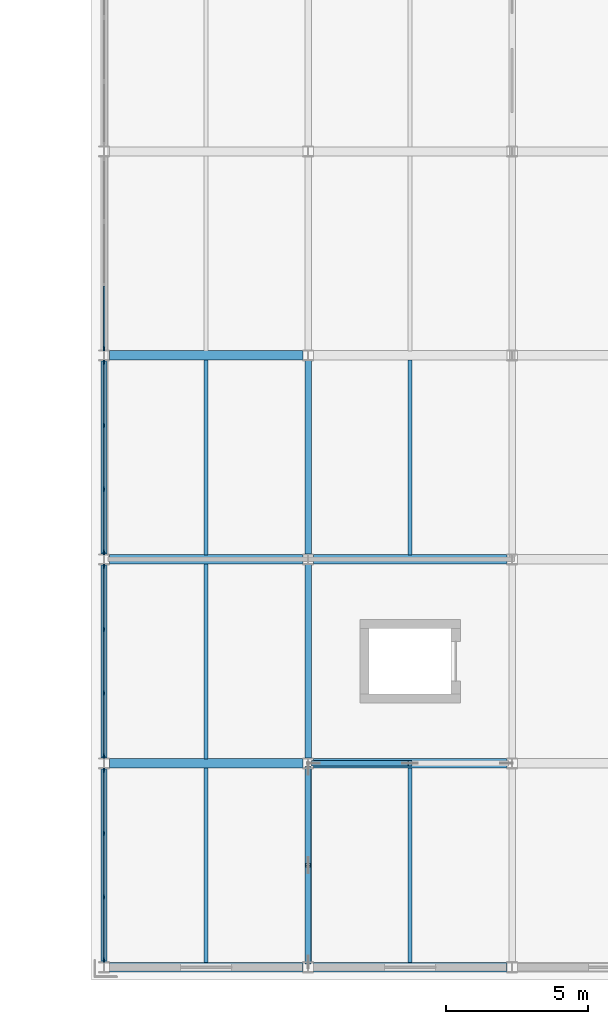
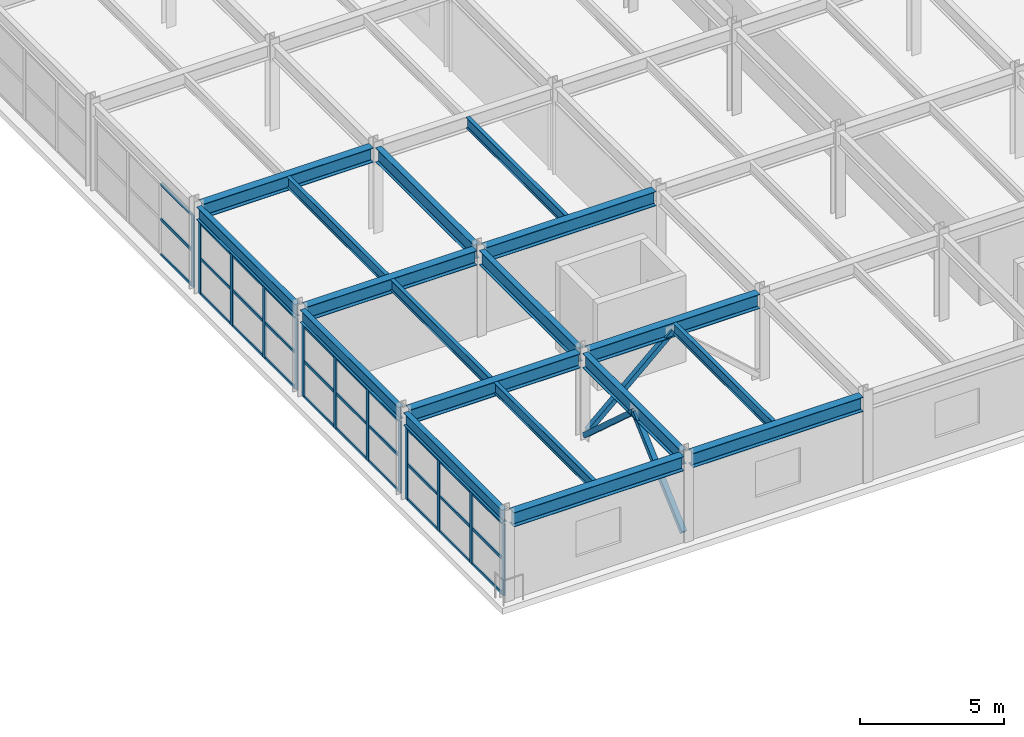
# One storey, part 31 of 93: 46 members, 18 beams, 4 elements without a shape of their own.
"""IFC4 building model written with IfcOpenShell, lengths in metres."""

from ifc_helpers import new_model, si_unit, direction, frame, origin, origin_2d, place, context, subcontext, project, spatial, rectangle, hollow_rectangle, i_section, extrude, material, material_profile, profile_set, type_object, element, aggregate, save


model = new_model("IFC4")

# Units and contexts
model_context = context("Model", 3, precision=1e-05, world=origin(), true_north=direction((0.0, 1.0)))
body_context = subcontext(model_context, "Body", "Model", "MODEL_VIEW")
ifc_project = project(units=[si_unit("LENGTHUNIT", "METRE"), si_unit("AREAUNIT", "SQUARE_METRE"), si_unit("VOLUMEUNIT", "CUBIC_METRE"), si_unit("PLANEANGLEUNIT", "RADIAN"), si_unit("MASSUNIT", "GRAM", prefix="KILO")], contexts=[model_context])

# Site, building, storey
site_placement = place(None, origin())
site = spatial("IfcSite", under=ifc_project, at=site_placement, CompositionType="ELEMENT")
building_placement = place(site_placement, origin())
building = spatial("IfcBuilding", under=site, at=building_placement, Name="Vaelcorin Mobility Hub", CompositionType="ELEMENT")
storey_placement = place(building_placement, frame((0.0, 0.0, 5.39990234375)))
storey = spatial("IfcBuildingStorey", under=building, at=storey_placement, Name="L01", CompositionType="ELEMENT", Elevation=5.39990234375)

# Beams
ifc_material_1 = material(Name="Steel ASTM A992 Grade 50", Category="steel")
ifc_material_profile_1 = material_profile(ifc_material_1, i_section(OverallWidth=0.152099609375, OverallDepth=0.455078125, WebThickness=0.008056640625, FlangeThickness=0.01318359375, FilletRadius=0.012939453125, at=origin_2d()), Name="W18X40")
ifc_profile_set_1 = profile_set([ifc_material_profile_1], Name="Steel ASTM A992 Grade 50")
beam_type_1 = type_object("IfcBeamType", Name="BM-W18X40", PredefinedType="JOIST", material=ifc_profile_set_1)
beam_1_placement = place(storey_placement, frame((157.199951171875, 6.159912109375, 3.443115234375), z_axis=(0.0, 1.0, 0.0), x_axis=(-1.0, 0.0, 0.0)))
element("IfcBeam", 1, at=beam_1_placement, inside=storey, type_object=beam_type_1, Name="L01 Beam V5-L01-J-01-01-1", PredefinedType="JOIST", context=body_context, shape_type="SweptSolid", body=[
    extrude(i_section(OverallWidth=0.152099609375, OverallDepth=0.455078125, WebThickness=0.008056640625, FlangeThickness=0.01318359375, FilletRadius=0.012939453125, at=origin_2d()), origin(), (0.0, 0.0, 1.0), 6.879150390625),
])
for number, where, z_axis, x_axis, name in (
    (2, (157.199951171875, 13.360107421875, 3.443115234375), (0.0, 1.0, 0.0), (-1.0, 0.0, 0.0), "L01 Beam V5-L01-J-01-02-1"),
    (3, (157.199951171875, 20.56005859375, 3.443115234375), (0.0, 1.0, 0.0), (-1.0, 0.0, 0.0), "L01 Beam V5-L01-J-01-03-1"),
):
    element("IfcBeam", number, at=place(storey_placement, frame(where, z_axis=z_axis, x_axis=x_axis)), inside=storey, type_object=beam_type_1, Name=name, PredefinedType="JOIST", context=body_context, shape_type="SweptSolid", body=[
        extrude(i_section(OverallWidth=0.152099609375, OverallDepth=0.455078125, WebThickness=0.008056640625, FlangeThickness=0.01318359375, FilletRadius=0.012939453125, at=origin_2d()), origin(), (0.0, 0.0, 1.0), 6.8798828125),
    ])
beam_2_placement = place(storey_placement, frame((164.39990234375, 6.159912109375, 3.443115234375), z_axis=(0.0, 1.0, 0.0), x_axis=(-1.0, 0.0, 0.0)))
element("IfcBeam", 4, at=beam_2_placement, inside=storey, type_object=beam_type_1, Name="L01 Beam V5-L01-J-02-01-1", PredefinedType="JOIST", context=body_context, shape_type="SweptSolid", body=[
    extrude(i_section(OverallWidth=0.152099609375, OverallDepth=0.455078125, WebThickness=0.008056640625, FlangeThickness=0.01318359375, FilletRadius=0.012939453125, at=origin_2d()), origin(), (0.0, 0.0, 1.0), 6.879150390625),
])
beam_3_placement = place(storey_placement, frame((164.39990234375, 20.56005859375, 3.443115234375), z_axis=(0.0, 1.0, 0.0), x_axis=(-1.0, 0.0, 0.0)))
element("IfcBeam", 5, at=beam_3_placement, inside=storey, type_object=beam_type_1, Name="L01 Beam V5-L01-J-02-03-1", PredefinedType="JOIST", context=body_context, shape_type="SweptSolid", body=[
    extrude(i_section(OverallWidth=0.152099609375, OverallDepth=0.455078125, WebThickness=0.008056640625, FlangeThickness=0.01318359375, FilletRadius=0.012939453125, at=origin_2d()), origin(), (0.0, 0.0, 1.0), 6.8798828125),
])
ifc_material_profile_2 = material_profile(ifc_material_1, i_section(OverallWidth=0.2099609375, OverallDepth=0.535888671875, WebThickness=0.010986328125, FlangeThickness=0.017333984375, FilletRadius=0.013916015625, at=origin_2d()), Name="W21X68")
ifc_profile_set_2 = profile_set([ifc_material_profile_2], Name="Steel ASTM A992 Grade 50")
beam_type_2 = type_object("IfcBeamType", Name="BM-W21X68", PredefinedType="SPANDREL", material=ifc_profile_set_2)
for number, where, z_axis, x_axis, name in (
    (6, (153.60009765625, 6.18408203125, 3.402099609375), (0.0, 1.0, 0.0), (-1.0, 0.0, 0.0), "L01 Beam V5-L01-GY-01-01"),
    (7, (153.60009765625, 13.384033203125, 3.402099609375), (0.0, 1.0, 0.0), (-1.0, 0.0, 0.0), "L01 Beam V5-L01-GY-01-02"),
    (8, (153.60009765625, 20.583984375, 3.402099609375), (0.0, 1.0, 0.0), (-1.0, 0.0, 0.0), "L01 Beam V5-L01-GY-01-03"),
):
    element("IfcBeam", number, at=place(storey_placement, frame(where, z_axis=z_axis, x_axis=x_axis)), inside=storey, type_object=beam_type_2, Name=name, PredefinedType="SPANDREL", context=body_context, shape_type="SweptSolid", body=[
        extrude(i_section(OverallWidth=0.2099609375, OverallDepth=0.535888671875, WebThickness=0.010986328125, FlangeThickness=0.017333984375, FilletRadius=0.013916015625, at=origin_2d()), origin(), (0.0, 0.0, 1.0), 6.83203125),
    ])
ifc_material_profile_3 = material_profile(ifc_material_1, i_section(OverallWidth=0.324951171875, OverallDepth=0.612060546875, WebThickness=0.0126953125, FlangeThickness=0.01904296875, FilletRadius=0.014892578125, at=origin_2d()), Name="W24X104")
ifc_profile_set_3 = profile_set([ifc_material_profile_3], Name="Steel ASTM A992 Grade 50")
beam_type_3 = type_object("IfcBeamType", Name="BM-W24X104", PredefinedType="BEAM", material=ifc_profile_set_3)
beam_4_placement = place(storey_placement, frame((153.783935546875, 6.0, 3.364013671875), z_axis=(1.0, 0.0, 0.0), x_axis=(0.0, 1.0, 0.0)))
element("IfcBeam", 9, at=beam_4_placement, inside=storey, type_object=beam_type_3, Name="L01 Beam V5-L01-GX-01-01", PredefinedType="BEAM", context=body_context, shape_type="SweptSolid", body=[
    extrude(i_section(OverallWidth=0.324951171875, OverallDepth=0.612060546875, WebThickness=0.0126953125, FlangeThickness=0.01904296875, FilletRadius=0.014892578125, at=origin_2d()), origin(), (0.0, 0.0, 1.0), 6.8310546875),
])
beam_5_placement = place(storey_placement, frame((160.98388671875, 6.0, 3.364013671875), z_axis=(1.0, 0.0, 0.0), x_axis=(0.0, 1.0, 0.0)))
element("IfcBeam", 10, at=beam_5_placement, inside=storey, type_object=beam_type_3, Name="L01 Beam V5-L01-GX-01-02", PredefinedType="BEAM", context=body_context, shape_type="SweptSolid", body=[
    extrude(i_section(OverallWidth=0.324951171875, OverallDepth=0.612060546875, WebThickness=0.0126953125, FlangeThickness=0.01904296875, FilletRadius=0.014892578125, at=origin_2d()), origin(), (0.0, 0.0, 1.0), 6.83203125),
])
beam_6_placement = place(storey_placement, frame((153.783935546875, 13.199951171875, 3.364013671875), z_axis=(1.0, 0.0, 0.0), x_axis=(0.0, 1.0, 0.0)))
element("IfcBeam", 11, at=beam_6_placement, inside=storey, type_object=beam_type_3, Name="L01 Beam V5-L01-GX-02-01", PredefinedType="BEAM", context=body_context, shape_type="SweptSolid", body=[
    extrude(i_section(OverallWidth=0.324951171875, OverallDepth=0.612060546875, WebThickness=0.0126953125, FlangeThickness=0.01904296875, FilletRadius=0.014892578125, at=origin_2d()), origin(), (0.0, 0.0, 1.0), 6.8310546875),
])
beam_7_placement = place(storey_placement, frame((160.98388671875, 13.199951171875, 3.364013671875), z_axis=(1.0, 0.0, 0.0), x_axis=(0.0, 1.0, 0.0)))
element("IfcBeam", 12, at=beam_7_placement, inside=storey, type_object=beam_type_3, Name="L01 Beam V5-L01-GX-02-02", PredefinedType="BEAM", context=body_context, shape_type="SweptSolid", body=[
    extrude(i_section(OverallWidth=0.324951171875, OverallDepth=0.612060546875, WebThickness=0.0126953125, FlangeThickness=0.01904296875, FilletRadius=0.014892578125, at=origin_2d()), origin(), (0.0, 0.0, 1.0), 6.83203125),
])
beam_8_placement = place(storey_placement, frame((153.783935546875, 20.39990234375, 3.364013671875), z_axis=(1.0, 0.0, 0.0), x_axis=(0.0, 1.0, 0.0)))
element("IfcBeam", 13, at=beam_8_placement, inside=storey, type_object=beam_type_3, Name="L01 Beam V5-L01-GX-03-01", PredefinedType="BEAM", context=body_context, shape_type="SweptSolid", body=[
    extrude(i_section(OverallWidth=0.324951171875, OverallDepth=0.612060546875, WebThickness=0.0126953125, FlangeThickness=0.01904296875, FilletRadius=0.014892578125, at=origin_2d()), origin(), (0.0, 0.0, 1.0), 6.8310546875),
])
beam_9_placement = place(storey_placement, frame((160.98388671875, 20.39990234375, 3.364013671875), z_axis=(1.0, 0.0, 0.0), x_axis=(0.0, 1.0, 0.0)))
element("IfcBeam", 14, at=beam_9_placement, inside=storey, type_object=beam_type_3, Name="L01 Beam V5-L01-GX-03-02", PredefinedType="BEAM", context=body_context, shape_type="SweptSolid", body=[
    extrude(i_section(OverallWidth=0.324951171875, OverallDepth=0.612060546875, WebThickness=0.0126953125, FlangeThickness=0.01904296875, FilletRadius=0.014892578125, at=origin_2d()), origin(), (0.0, 0.0, 1.0), 6.83203125),
])
beam_10_placement = place(storey_placement, frame((153.783935546875, 27.60009765625, 3.364013671875), z_axis=(1.0, 0.0, 0.0), x_axis=(0.0, 1.0, 0.0)))
element("IfcBeam", 15, at=beam_10_placement, inside=storey, type_object=beam_type_3, Name="L01 Beam V5-L01-GX-04-01", PredefinedType="BEAM", context=body_context, shape_type="SweptSolid", body=[
    extrude(i_section(OverallWidth=0.324951171875, OverallDepth=0.612060546875, WebThickness=0.0126953125, FlangeThickness=0.01904296875, FilletRadius=0.014892578125, at=origin_2d()), origin(), (0.0, 0.0, 1.0), 6.8310546875),
])
ifc_material_profile_4 = material_profile(ifc_material_1, i_section(OverallWidth=0.22900390625, OverallDepth=0.612060546875, WebThickness=0.011962890625, FlangeThickness=0.01953125, FilletRadius=0.014892578125, at=origin_2d()), Name="W24X84")
ifc_profile_set_4 = profile_set([ifc_material_profile_4], Name="Steel ASTM A992 Grade 50")
beam_type_4 = type_object("IfcBeamType", Name="BM-W24X84", PredefinedType="BEAM", material=ifc_profile_set_4)
for number, where, z_axis, x_axis, name in (
    (16, (160.800048828125, 6.18408203125, 3.364013671875), (0.0, 1.0, 0.0), (-1.0, 0.0, 0.0), "L01 Beam V5-L01-GY-02-01"),
    (17, (160.800048828125, 13.384033203125, 3.364013671875), (0.0, 1.0, 0.0), (-1.0, 0.0, 0.0), "L01 Beam V5-L01-GY-02-02"),
    (18, (160.800048828125, 20.583984375, 3.364013671875), (0.0, 1.0, 0.0), (-1.0, 0.0, 0.0), "L01 Beam V5-L01-GY-02-03"),
):
    element("IfcBeam", number, at=place(storey_placement, frame(where, z_axis=z_axis, x_axis=x_axis)), inside=storey, type_object=beam_type_4, Name=name, PredefinedType="BEAM", context=body_context, shape_type="SweptSolid", body=[
        extrude(i_section(OverallWidth=0.22900390625, OverallDepth=0.612060546875, WebThickness=0.011962890625, FlangeThickness=0.01953125, FilletRadius=0.014892578125, at=origin_2d()), origin(), (0.0, 0.0, 1.0), 6.83203125),
    ])

# Members
ifc_material_2 = material(Name="Steel ASTM A500 Grade C", Category="steel")
ifc_material_profile_5 = material_profile(ifc_material_2, hollow_rectangle(XDim=0.203125, YDim=0.203125, WallThickness=0.01171875, at=origin_2d()), Name="HSS8X8X0.500")
ifc_profile_set_5 = profile_set([ifc_material_profile_5], Name="Steel ASTM A500 Grade C")
member_type_1 = type_object("IfcMemberType", Name="BR-SCBF-8X8", PredefinedType="BRACE", material=ifc_profile_set_5)
member_1_placement = place(storey_placement, frame((160.989990234375, 13.199951171875, 0.18017578125), z_axis=(0.743196242044, 0.0, 0.669073498064), x_axis=(0.0, 1.0, 0.0)))
element("IfcMember", 19, at=member_1_placement, inside=storey, type_object=member_type_1, Name="SCBF Chevron Brace V5-BX1-L01-A", PredefinedType="BRACE", context=body_context, shape_type="SweptSolid", body=[
    extrude(hollow_rectangle(XDim=0.203125, YDim=0.203125, WallThickness=0.01171875, at=origin_2d()), origin(), (0.0, 0.0, 1.0), 4.588134765625),
])
member_2_placement = place(storey_placement, frame((160.800048828125, 6.18994140625, 0.18017578125), z_axis=(0.0, 0.743220060975, 0.669047039426), x_axis=(-1.0, 0.0, 0.0)))
element("IfcMember", 20, at=member_2_placement, inside=storey, type_object=member_type_1, Name="SCBF Chevron Brace V5-BY1-L01-A", PredefinedType="BRACE", context=body_context, shape_type="SweptSolid", body=[
    extrude(hollow_rectangle(XDim=0.203125, YDim=0.203125, WallThickness=0.01171875, at=origin_2d()), origin(), (0.0, 0.0, 1.0), 4.58837890625),
])
member_3_placement = place(storey_placement, frame((160.800048828125, 13.010009765625, 0.18017578125), z_axis=(0.0, -0.743196242044, 0.669073498064), x_axis=(1.0, 0.0, 0.0)))
element("IfcMember", 21, at=member_3_placement, inside=storey, type_object=member_type_1, Name="SCBF Chevron Brace V5-BY1-L01-B", PredefinedType="BRACE", context=body_context, shape_type="SweptSolid", body=[
    extrude(hollow_rectangle(XDim=0.203125, YDim=0.203125, WallThickness=0.01171875, at=origin_2d()), origin(), (0.0, 0.0, 1.0), 4.588134765625),
])

# Curtain wall, members
ifc_material_3 = material(Name="Anodised aluminium 6063-T6", Category="aluminium")
curtain_wall_type = type_object("IfcCurtainWallType", Name="CW-MOB-A", PredefinedType="NOTDEFINED", material=ifc_material_3)
curtain_wall_1_placement = place(storey_placement, origin())
curtain_wall_1 = element("IfcCurtainWall", 22, at=curtain_wall_1_placement, inside=storey, type_object=curtain_wall_type, Name="L01 Curtain Wall CW-V5-L01-WS-01", PredefinedType="NOTDEFINED")
ifc_material_profile_6 = material_profile(ifc_material_3, rectangle(XDim=0.06005859375, YDim=0.159912109375, at=origin_2d()), Name="ALU-M60X160")
ifc_profile_set_6 = profile_set([ifc_material_profile_6], Name="Anodised aluminium 6063-T6")
member_type_2 = type_object("IfcMemberType", Name="CW-MULL-160", PredefinedType="MULLION", material=ifc_profile_set_6)
member_4_placement = place(storey_placement, frame((153.60009765625, 6.25, 0.0), z_axis=(0.0, 0.0, 1.0), x_axis=(-1.0, 0.0, 0.0)))
member_4 = element("IfcMember", 23, at=member_4_placement, type_object=member_type_2, Name="CW7 mullion 1", PredefinedType="MULLION", context=body_context, shape_type="SweptSolid", body=[
    extrude(rectangle(XDim=0.06005859375, YDim=0.159912109375, at=origin_2d()), origin(), (0.0, 0.0, 1.0), 3.043212890625),
])
member_5_placement = place(storey_placement, frame((153.60009765625, 8.473388671875, 0.0), z_axis=(0.0, 0.0, 1.0), x_axis=(-1.0, 0.0, 0.0)))
member_5 = element("IfcMember", 24, at=member_5_placement, type_object=member_type_2, Name="CW7 mullion 2", PredefinedType="MULLION", context=body_context, shape_type="SweptSolid", body=[
    extrude(rectangle(XDim=0.06005859375, YDim=0.159912109375, at=origin_2d()), origin(), (0.0, 0.0, 1.0), 3.043212890625),
])
member_6_placement = place(storey_placement, frame((153.60009765625, 10.7265625, 0.0), z_axis=(0.0, 0.0, 1.0), x_axis=(-1.0, 0.0, 0.0)))
member_6 = element("IfcMember", 25, at=member_6_placement, type_object=member_type_2, Name="CW7 mullion 3", PredefinedType="MULLION", context=body_context, shape_type="SweptSolid", body=[
    extrude(rectangle(XDim=0.06005859375, YDim=0.159912109375, at=origin_2d()), origin(), (0.0, 0.0, 1.0), 3.043212890625),
])
member_7_placement = place(storey_placement, frame((153.60009765625, 12.949951171875, 0.0), z_axis=(0.0, 0.0, 1.0), x_axis=(-1.0, 0.0, 0.0)))
member_7 = element("IfcMember", 26, at=member_7_placement, type_object=member_type_2, Name="CW7 mullion 4", PredefinedType="MULLION", context=body_context, shape_type="SweptSolid", body=[
    extrude(rectangle(XDim=0.06005859375, YDim=0.159912109375, at=origin_2d()), origin(), (0.0, 0.0, 1.0), 3.043212890625),
])

curtain_wall_2_placement = place(storey_placement, origin())
curtain_wall_2 = element("IfcCurtainWall", 27, at=curtain_wall_2_placement, inside=storey, type_object=curtain_wall_type, Name="L01 Curtain Wall CW-V5-L01-WS-02", PredefinedType="NOTDEFINED")
member_8_placement = place(storey_placement, frame((153.60009765625, 13.449951171875, 0.0), z_axis=(0.0, 0.0, 1.0), x_axis=(-1.0, 0.0, 0.0)))
member_8 = element("IfcMember", 28, at=member_8_placement, type_object=member_type_2, Name="CW7 mullion 1", PredefinedType="MULLION", context=body_context, shape_type="SweptSolid", body=[
    extrude(rectangle(XDim=0.06005859375, YDim=0.159912109375, at=origin_2d()), origin(), (0.0, 0.0, 1.0), 3.043212890625),
])
member_9_placement = place(storey_placement, frame((153.60009765625, 15.67333984375, 0.0), z_axis=(0.0, 0.0, 1.0), x_axis=(-1.0, 0.0, 0.0)))
member_9 = element("IfcMember", 29, at=member_9_placement, type_object=member_type_2, Name="CW7 mullion 2", PredefinedType="MULLION", context=body_context, shape_type="SweptSolid", body=[
    extrude(rectangle(XDim=0.06005859375, YDim=0.159912109375, at=origin_2d()), origin(), (0.0, 0.0, 1.0), 3.043212890625),
])
member_10_placement = place(storey_placement, frame((153.60009765625, 17.9267578125, 0.0), z_axis=(0.0, 0.0, 1.0), x_axis=(-1.0, 0.0, 0.0)))
member_10 = element("IfcMember", 30, at=member_10_placement, type_object=member_type_2, Name="CW7 mullion 3", PredefinedType="MULLION", context=body_context, shape_type="SweptSolid", body=[
    extrude(rectangle(XDim=0.06005859375, YDim=0.159912109375, at=origin_2d()), origin(), (0.0, 0.0, 1.0), 3.043212890625),
])
member_11_placement = place(storey_placement, frame((153.60009765625, 20.14990234375, 0.0), z_axis=(0.0, 0.0, 1.0), x_axis=(-1.0, 0.0, 0.0)))
member_11 = element("IfcMember", 31, at=member_11_placement, type_object=member_type_2, Name="CW7 mullion 4", PredefinedType="MULLION", context=body_context, shape_type="SweptSolid", body=[
    extrude(rectangle(XDim=0.06005859375, YDim=0.159912109375, at=origin_2d()), origin(), (0.0, 0.0, 1.0), 3.043212890625),
])

curtain_wall_3_placement = place(storey_placement, origin())
curtain_wall_3 = element("IfcCurtainWall", 32, at=curtain_wall_3_placement, inside=storey, type_object=curtain_wall_type, Name="L01 Curtain Wall CW-V5-L01-WS-03", PredefinedType="NOTDEFINED")
member_12_placement = place(storey_placement, frame((153.60009765625, 20.64990234375, 0.0), z_axis=(0.0, 0.0, 1.0), x_axis=(-1.0, 0.0, 0.0)))
member_12 = element("IfcMember", 33, at=member_12_placement, type_object=member_type_2, Name="CW7 mullion 1", PredefinedType="MULLION", context=body_context, shape_type="SweptSolid", body=[
    extrude(rectangle(XDim=0.06005859375, YDim=0.159912109375, at=origin_2d()), origin(), (0.0, 0.0, 1.0), 3.043212890625),
])
member_13_placement = place(storey_placement, frame((153.60009765625, 22.873291015625, 0.0), z_axis=(0.0, 0.0, 1.0), x_axis=(-1.0, 0.0, 0.0)))
member_13 = element("IfcMember", 34, at=member_13_placement, type_object=member_type_2, Name="CW7 mullion 2", PredefinedType="MULLION", context=body_context, shape_type="SweptSolid", body=[
    extrude(rectangle(XDim=0.06005859375, YDim=0.159912109375, at=origin_2d()), origin(), (0.0, 0.0, 1.0), 3.043212890625),
])
member_14_placement = place(storey_placement, frame((153.60009765625, 25.126708984375, 0.0), z_axis=(0.0, 0.0, 1.0), x_axis=(-1.0, 0.0, 0.0)))
member_14 = element("IfcMember", 35, at=member_14_placement, type_object=member_type_2, Name="CW7 mullion 3", PredefinedType="MULLION", context=body_context, shape_type="SweptSolid", body=[
    extrude(rectangle(XDim=0.06005859375, YDim=0.159912109375, at=origin_2d()), origin(), (0.0, 0.0, 1.0), 3.043212890625),
])
member_15_placement = place(storey_placement, frame((153.60009765625, 27.35009765625, 0.0), z_axis=(0.0, 0.0, 1.0), x_axis=(-1.0, 0.0, 0.0)))
member_15 = element("IfcMember", 36, at=member_15_placement, type_object=member_type_2, Name="CW7 mullion 4", PredefinedType="MULLION", context=body_context, shape_type="SweptSolid", body=[
    extrude(rectangle(XDim=0.06005859375, YDim=0.159912109375, at=origin_2d()), origin(), (0.0, 0.0, 1.0), 3.043212890625),
])

# Curtain wall, member
curtain_wall_4_placement = place(storey_placement, origin())
curtain_wall_4 = element("IfcCurtainWall", 37, at=curtain_wall_4_placement, inside=storey, type_object=curtain_wall_type, Name="L01 Curtain Wall CW-V5-L01-WS-04", PredefinedType="NOTDEFINED")
member_16_placement = place(storey_placement, frame((153.60009765625, 27.85009765625, 0.0), z_axis=(0.0, 0.0, 1.0), x_axis=(-1.0, 0.0, 0.0)))
member_16 = element("IfcMember", 38, at=member_16_placement, type_object=member_type_2, Name="CW7 mullion 1", PredefinedType="MULLION", context=body_context, shape_type="SweptSolid", body=[
    extrude(rectangle(XDim=0.06005859375, YDim=0.159912109375, at=origin_2d()), origin(), (0.0, 0.0, 1.0), 3.043212890625),
])

# Member
ifc_material_profile_7 = material_profile(ifc_material_3, rectangle(XDim=0.06005859375, YDim=0.1201171875, at=origin_2d()), Name="ALU-T60X120")
ifc_profile_set_7 = profile_set([ifc_material_profile_7], Name="Anodised aluminium 6063-T6")
member_type_3 = type_object("IfcMemberType", Name="CW-TRAN-140", PredefinedType="USERDEFINED", material=ifc_profile_set_7)
member_17_placement = place(storey_placement, frame((153.60009765625, 6.280029296875, 0.030029296875), z_axis=(0.0, 1.0, 0.0), x_axis=(-1.0, 0.0, 0.0)))
member_17 = element("IfcMember", 39, at=member_17_placement, type_object=member_type_3, Name="CW7 transom 1.1", ObjectType="TRANSOM", PredefinedType="USERDEFINED", context=body_context, shape_type="SweptSolid", body=[
    extrude(rectangle(XDim=0.06005859375, YDim=0.1201171875, at=origin_2d()), origin(), (0.0, 0.0, 1.0), 2.163330078125),
])

member_18_placement = place(storey_placement, frame((153.60009765625, 6.280029296875, 1.522216796875), z_axis=(0.0, 1.0, 0.0), x_axis=(-1.0, 0.0, 0.0)))
member_18 = element("IfcMember", 40, at=member_18_placement, type_object=member_type_3, Name="CW7 transom 1.2", ObjectType="TRANSOM", PredefinedType="USERDEFINED", context=body_context, shape_type="SweptSolid", body=[
    extrude(rectangle(XDim=0.06005859375, YDim=0.1201171875, at=origin_2d()), origin(), (0.0, 0.0, 1.0), 2.163330078125),
])

member_19_placement = place(storey_placement, frame((153.60009765625, 6.280029296875, 3.01318359375), z_axis=(0.0, 1.0, 0.0), x_axis=(-1.0, 0.0, 0.0)))
member_19 = element("IfcMember", 41, at=member_19_placement, type_object=member_type_3, Name="CW7 transom 1.3", ObjectType="TRANSOM", PredefinedType="USERDEFINED", context=body_context, shape_type="SweptSolid", body=[
    extrude(rectangle(XDim=0.06005859375, YDim=0.1201171875, at=origin_2d()), origin(), (0.0, 0.0, 1.0), 2.163330078125),
])

member_20_placement = place(storey_placement, frame((153.60009765625, 8.50341796875, 0.030029296875), z_axis=(0.0, 1.0, 0.0), x_axis=(-1.0, 0.0, 0.0)))
member_20 = element("IfcMember", 42, at=member_20_placement, type_object=member_type_3, Name="CW7 transom 2.1", ObjectType="TRANSOM", PredefinedType="USERDEFINED", context=body_context, shape_type="SweptSolid", body=[
    extrude(rectangle(XDim=0.06005859375, YDim=0.1201171875, at=origin_2d()), origin(), (0.0, 0.0, 1.0), 2.193359375),
])

member_21_placement = place(storey_placement, frame((153.60009765625, 8.50341796875, 1.522216796875), z_axis=(0.0, 1.0, 0.0), x_axis=(-1.0, 0.0, 0.0)))
member_21 = element("IfcMember", 43, at=member_21_placement, type_object=member_type_3, Name="CW7 transom 2.2", ObjectType="TRANSOM", PredefinedType="USERDEFINED", context=body_context, shape_type="SweptSolid", body=[
    extrude(rectangle(XDim=0.06005859375, YDim=0.1201171875, at=origin_2d()), origin(), (0.0, 0.0, 1.0), 2.193359375),
])

member_22_placement = place(storey_placement, frame((153.60009765625, 8.50341796875, 3.01318359375), z_axis=(0.0, 1.0, 0.0), x_axis=(-1.0, 0.0, 0.0)))
member_22 = element("IfcMember", 44, at=member_22_placement, type_object=member_type_3, Name="CW7 transom 2.3", ObjectType="TRANSOM", PredefinedType="USERDEFINED", context=body_context, shape_type="SweptSolid", body=[
    extrude(rectangle(XDim=0.06005859375, YDim=0.1201171875, at=origin_2d()), origin(), (0.0, 0.0, 1.0), 2.193359375),
])

member_23_placement = place(storey_placement, frame((153.60009765625, 10.756591796875, 0.030029296875), z_axis=(0.0, 1.0, 0.0), x_axis=(-1.0, 0.0, 0.0)))
member_23 = element("IfcMember", 45, at=member_23_placement, type_object=member_type_3, Name="CW7 transom 3.1", ObjectType="TRANSOM", PredefinedType="USERDEFINED", context=body_context, shape_type="SweptSolid", body=[
    extrude(rectangle(XDim=0.06005859375, YDim=0.1201171875, at=origin_2d()), origin(), (0.0, 0.0, 1.0), 2.163330078125),
])

member_24_placement = place(storey_placement, frame((153.60009765625, 10.756591796875, 1.522216796875), z_axis=(0.0, 1.0, 0.0), x_axis=(-1.0, 0.0, 0.0)))
member_24 = element("IfcMember", 46, at=member_24_placement, type_object=member_type_3, Name="CW7 transom 3.2", ObjectType="TRANSOM", PredefinedType="USERDEFINED", context=body_context, shape_type="SweptSolid", body=[
    extrude(rectangle(XDim=0.06005859375, YDim=0.1201171875, at=origin_2d()), origin(), (0.0, 0.0, 1.0), 2.163330078125),
])

member_25_placement = place(storey_placement, frame((153.60009765625, 10.756591796875, 3.01318359375), z_axis=(0.0, 1.0, 0.0), x_axis=(-1.0, 0.0, 0.0)))
member_25 = element("IfcMember", 47, at=member_25_placement, type_object=member_type_3, Name="CW7 transom 3.3", ObjectType="TRANSOM", PredefinedType="USERDEFINED", context=body_context, shape_type="SweptSolid", body=[
    extrude(rectangle(XDim=0.06005859375, YDim=0.1201171875, at=origin_2d()), origin(), (0.0, 0.0, 1.0), 2.163330078125),
])

aggregate(curtain_wall_1, [member_4, member_5, member_6, member_7, member_17, member_18, member_19, member_20, member_21, member_22, member_23, member_24, member_25])

member_26_placement = place(storey_placement, frame((153.60009765625, 13.47998046875, 0.030029296875), z_axis=(0.0, 1.0, 0.0), x_axis=(-1.0, 0.0, 0.0)))
member_26 = element("IfcMember", 48, at=member_26_placement, type_object=member_type_3, Name="CW7 transom 1.1", ObjectType="TRANSOM", PredefinedType="USERDEFINED", context=body_context, shape_type="SweptSolid", body=[
    extrude(rectangle(XDim=0.06005859375, YDim=0.1201171875, at=origin_2d()), origin(), (0.0, 0.0, 1.0), 2.163330078125),
])

member_27_placement = place(storey_placement, frame((153.60009765625, 13.47998046875, 1.522216796875), z_axis=(0.0, 1.0, 0.0), x_axis=(-1.0, 0.0, 0.0)))
member_27 = element("IfcMember", 49, at=member_27_placement, type_object=member_type_3, Name="CW7 transom 1.2", ObjectType="TRANSOM", PredefinedType="USERDEFINED", context=body_context, shape_type="SweptSolid", body=[
    extrude(rectangle(XDim=0.06005859375, YDim=0.1201171875, at=origin_2d()), origin(), (0.0, 0.0, 1.0), 2.163330078125),
])

member_28_placement = place(storey_placement, frame((153.60009765625, 13.47998046875, 3.01318359375), z_axis=(0.0, 1.0, 0.0), x_axis=(-1.0, 0.0, 0.0)))
member_28 = element("IfcMember", 50, at=member_28_placement, type_object=member_type_3, Name="CW7 transom 1.3", ObjectType="TRANSOM", PredefinedType="USERDEFINED", context=body_context, shape_type="SweptSolid", body=[
    extrude(rectangle(XDim=0.06005859375, YDim=0.1201171875, at=origin_2d()), origin(), (0.0, 0.0, 1.0), 2.163330078125),
])

member_29_placement = place(storey_placement, frame((153.60009765625, 15.703369140625, 0.030029296875), z_axis=(0.0, 1.0, 0.0), x_axis=(-1.0, 0.0, 0.0)))
member_29 = element("IfcMember", 51, at=member_29_placement, type_object=member_type_3, Name="CW7 transom 2.1", ObjectType="TRANSOM", PredefinedType="USERDEFINED", context=body_context, shape_type="SweptSolid", body=[
    extrude(rectangle(XDim=0.06005859375, YDim=0.1201171875, at=origin_2d()), origin(), (0.0, 0.0, 1.0), 2.193359375),
])

member_30_placement = place(storey_placement, frame((153.60009765625, 15.703369140625, 1.522216796875), z_axis=(0.0, 1.0, 0.0), x_axis=(-1.0, 0.0, 0.0)))
member_30 = element("IfcMember", 52, at=member_30_placement, type_object=member_type_3, Name="CW7 transom 2.2", ObjectType="TRANSOM", PredefinedType="USERDEFINED", context=body_context, shape_type="SweptSolid", body=[
    extrude(rectangle(XDim=0.06005859375, YDim=0.1201171875, at=origin_2d()), origin(), (0.0, 0.0, 1.0), 2.193359375),
])

member_31_placement = place(storey_placement, frame((153.60009765625, 15.703369140625, 3.01318359375), z_axis=(0.0, 1.0, 0.0), x_axis=(-1.0, 0.0, 0.0)))
member_31 = element("IfcMember", 53, at=member_31_placement, type_object=member_type_3, Name="CW7 transom 2.3", ObjectType="TRANSOM", PredefinedType="USERDEFINED", context=body_context, shape_type="SweptSolid", body=[
    extrude(rectangle(XDim=0.06005859375, YDim=0.1201171875, at=origin_2d()), origin(), (0.0, 0.0, 1.0), 2.193359375),
])

member_32_placement = place(storey_placement, frame((153.60009765625, 17.956787109375, 0.030029296875), z_axis=(0.0, 1.0, 0.0), x_axis=(-1.0, 0.0, 0.0)))
member_32 = element("IfcMember", 54, at=member_32_placement, type_object=member_type_3, Name="CW7 transom 3.1", ObjectType="TRANSOM", PredefinedType="USERDEFINED", context=body_context, shape_type="SweptSolid", body=[
    extrude(rectangle(XDim=0.06005859375, YDim=0.1201171875, at=origin_2d()), origin(), (0.0, 0.0, 1.0), 2.163330078125),
])

member_33_placement = place(storey_placement, frame((153.60009765625, 17.956787109375, 1.522216796875), z_axis=(0.0, 1.0, 0.0), x_axis=(-1.0, 0.0, 0.0)))
member_33 = element("IfcMember", 55, at=member_33_placement, type_object=member_type_3, Name="CW7 transom 3.2", ObjectType="TRANSOM", PredefinedType="USERDEFINED", context=body_context, shape_type="SweptSolid", body=[
    extrude(rectangle(XDim=0.06005859375, YDim=0.1201171875, at=origin_2d()), origin(), (0.0, 0.0, 1.0), 2.163330078125),
])

member_34_placement = place(storey_placement, frame((153.60009765625, 17.956787109375, 3.01318359375), z_axis=(0.0, 1.0, 0.0), x_axis=(-1.0, 0.0, 0.0)))
member_34 = element("IfcMember", 56, at=member_34_placement, type_object=member_type_3, Name="CW7 transom 3.3", ObjectType="TRANSOM", PredefinedType="USERDEFINED", context=body_context, shape_type="SweptSolid", body=[
    extrude(rectangle(XDim=0.06005859375, YDim=0.1201171875, at=origin_2d()), origin(), (0.0, 0.0, 1.0), 2.163330078125),
])

aggregate(curtain_wall_2, [member_8, member_9, member_10, member_11, member_26, member_27, member_28, member_29, member_30, member_31, member_32, member_33, member_34])

member_35_placement = place(storey_placement, frame((153.60009765625, 20.679931640625, 0.030029296875), z_axis=(0.0, 1.0, 0.0), x_axis=(-1.0, 0.0, 0.0)))
member_35 = element("IfcMember", 57, at=member_35_placement, type_object=member_type_3, Name="CW7 transom 1.1", ObjectType="TRANSOM", PredefinedType="USERDEFINED", context=body_context, shape_type="SweptSolid", body=[
    extrude(rectangle(XDim=0.06005859375, YDim=0.1201171875, at=origin_2d()), origin(), (0.0, 0.0, 1.0), 2.163330078125),
])

member_36_placement = place(storey_placement, frame((153.60009765625, 20.679931640625, 1.522216796875), z_axis=(0.0, 1.0, 0.0), x_axis=(-1.0, 0.0, 0.0)))
member_36 = element("IfcMember", 58, at=member_36_placement, type_object=member_type_3, Name="CW7 transom 1.2", ObjectType="TRANSOM", PredefinedType="USERDEFINED", context=body_context, shape_type="SweptSolid", body=[
    extrude(rectangle(XDim=0.06005859375, YDim=0.1201171875, at=origin_2d()), origin(), (0.0, 0.0, 1.0), 2.163330078125),
])

member_37_placement = place(storey_placement, frame((153.60009765625, 20.679931640625, 3.01318359375), z_axis=(0.0, 1.0, 0.0), x_axis=(-1.0, 0.0, 0.0)))
member_37 = element("IfcMember", 59, at=member_37_placement, type_object=member_type_3, Name="CW7 transom 1.3", ObjectType="TRANSOM", PredefinedType="USERDEFINED", context=body_context, shape_type="SweptSolid", body=[
    extrude(rectangle(XDim=0.06005859375, YDim=0.1201171875, at=origin_2d()), origin(), (0.0, 0.0, 1.0), 2.163330078125),
])

member_38_placement = place(storey_placement, frame((153.60009765625, 22.9033203125, 0.030029296875), z_axis=(0.0, 1.0, 0.0), x_axis=(-1.0, 0.0, 0.0)))
member_38 = element("IfcMember", 60, at=member_38_placement, type_object=member_type_3, Name="CW7 transom 2.1", ObjectType="TRANSOM", PredefinedType="USERDEFINED", context=body_context, shape_type="SweptSolid", body=[
    extrude(rectangle(XDim=0.06005859375, YDim=0.1201171875, at=origin_2d()), origin(), (0.0, 0.0, 1.0), 2.193359375),
])

member_39_placement = place(storey_placement, frame((153.60009765625, 22.9033203125, 1.522216796875), z_axis=(0.0, 1.0, 0.0), x_axis=(-1.0, 0.0, 0.0)))
member_39 = element("IfcMember", 61, at=member_39_placement, type_object=member_type_3, Name="CW7 transom 2.2", ObjectType="TRANSOM", PredefinedType="USERDEFINED", context=body_context, shape_type="SweptSolid", body=[
    extrude(rectangle(XDim=0.06005859375, YDim=0.1201171875, at=origin_2d()), origin(), (0.0, 0.0, 1.0), 2.193359375),
])

member_40_placement = place(storey_placement, frame((153.60009765625, 22.9033203125, 3.01318359375), z_axis=(0.0, 1.0, 0.0), x_axis=(-1.0, 0.0, 0.0)))
member_40 = element("IfcMember", 62, at=member_40_placement, type_object=member_type_3, Name="CW7 transom 2.3", ObjectType="TRANSOM", PredefinedType="USERDEFINED", context=body_context, shape_type="SweptSolid", body=[
    extrude(rectangle(XDim=0.06005859375, YDim=0.1201171875, at=origin_2d()), origin(), (0.0, 0.0, 1.0), 2.193359375),
])

member_41_placement = place(storey_placement, frame((153.60009765625, 25.15673828125, 0.030029296875), z_axis=(0.0, 1.0, 0.0), x_axis=(-1.0, 0.0, 0.0)))
member_41 = element("IfcMember", 63, at=member_41_placement, type_object=member_type_3, Name="CW7 transom 3.1", ObjectType="TRANSOM", PredefinedType="USERDEFINED", context=body_context, shape_type="SweptSolid", body=[
    extrude(rectangle(XDim=0.06005859375, YDim=0.1201171875, at=origin_2d()), origin(), (0.0, 0.0, 1.0), 2.163330078125),
])

member_42_placement = place(storey_placement, frame((153.60009765625, 25.15673828125, 1.522216796875), z_axis=(0.0, 1.0, 0.0), x_axis=(-1.0, 0.0, 0.0)))
member_42 = element("IfcMember", 64, at=member_42_placement, type_object=member_type_3, Name="CW7 transom 3.2", ObjectType="TRANSOM", PredefinedType="USERDEFINED", context=body_context, shape_type="SweptSolid", body=[
    extrude(rectangle(XDim=0.06005859375, YDim=0.1201171875, at=origin_2d()), origin(), (0.0, 0.0, 1.0), 2.163330078125),
])

member_43_placement = place(storey_placement, frame((153.60009765625, 25.15673828125, 3.01318359375), z_axis=(0.0, 1.0, 0.0), x_axis=(-1.0, 0.0, 0.0)))
member_43 = element("IfcMember", 65, at=member_43_placement, type_object=member_type_3, Name="CW7 transom 3.3", ObjectType="TRANSOM", PredefinedType="USERDEFINED", context=body_context, shape_type="SweptSolid", body=[
    extrude(rectangle(XDim=0.06005859375, YDim=0.1201171875, at=origin_2d()), origin(), (0.0, 0.0, 1.0), 2.163330078125),
])

aggregate(curtain_wall_3, [member_12, member_13, member_14, member_15, member_35, member_36, member_37, member_38, member_39, member_40, member_41, member_42, member_43])

member_44_placement = place(storey_placement, frame((153.60009765625, 27.8798828125, 0.030029296875), z_axis=(0.0, 1.0, 0.0), x_axis=(-1.0, 0.0, 0.0)))
member_44 = element("IfcMember", 66, at=member_44_placement, type_object=member_type_3, Name="CW7 transom 1.1", ObjectType="TRANSOM", PredefinedType="USERDEFINED", context=body_context, shape_type="SweptSolid", body=[
    extrude(rectangle(XDim=0.06005859375, YDim=0.1201171875, at=origin_2d()), origin(), (0.0, 0.0, 1.0), 2.163330078125),
])

member_45_placement = place(storey_placement, frame((153.60009765625, 27.8798828125, 1.522216796875), z_axis=(0.0, 1.0, 0.0), x_axis=(-1.0, 0.0, 0.0)))
member_45 = element("IfcMember", 67, at=member_45_placement, type_object=member_type_3, Name="CW7 transom 1.2", ObjectType="TRANSOM", PredefinedType="USERDEFINED", context=body_context, shape_type="SweptSolid", body=[
    extrude(rectangle(XDim=0.06005859375, YDim=0.1201171875, at=origin_2d()), origin(), (0.0, 0.0, 1.0), 2.163330078125),
])

member_46_placement = place(storey_placement, frame((153.60009765625, 27.8798828125, 3.01318359375), z_axis=(0.0, 1.0, 0.0), x_axis=(-1.0, 0.0, 0.0)))
member_46 = element("IfcMember", 68, at=member_46_placement, type_object=member_type_3, Name="CW7 transom 1.3", ObjectType="TRANSOM", PredefinedType="USERDEFINED", context=body_context, shape_type="SweptSolid", body=[
    extrude(rectangle(XDim=0.06005859375, YDim=0.1201171875, at=origin_2d()), origin(), (0.0, 0.0, 1.0), 2.163330078125),
])

aggregate(curtain_wall_4, [member_16, member_44, member_45, member_46])

save(model, "model.ifc")
